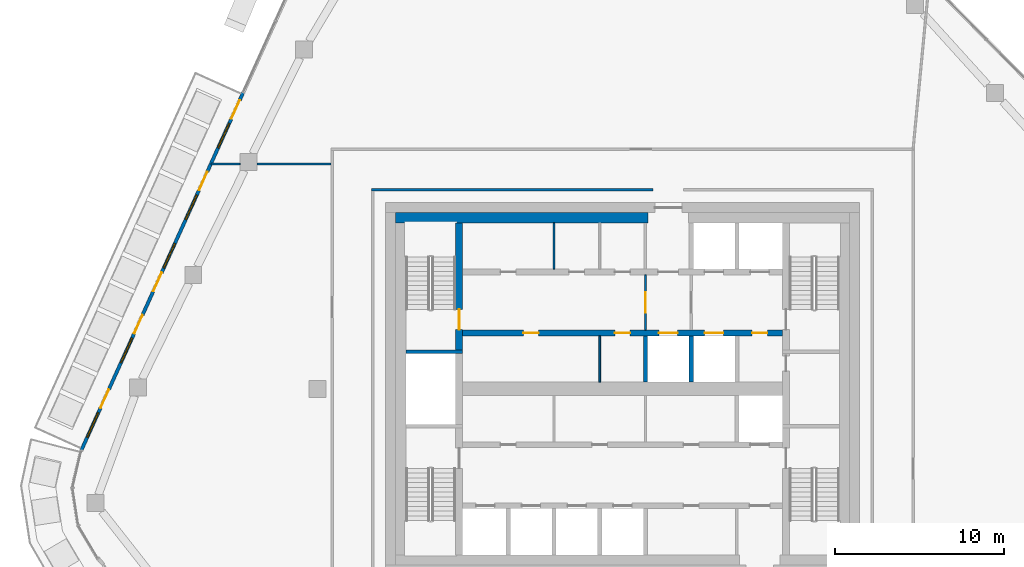
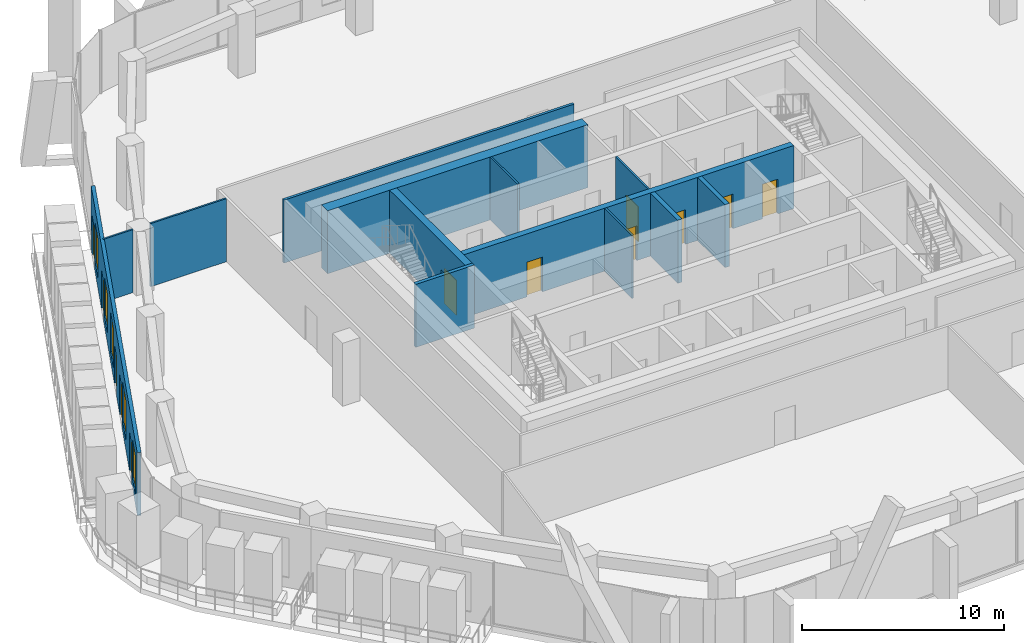
# One storey, part 14 of 23: 13 walls, 12 doors, 5 windows, 17 openings.
"""IFC4 building model written with IfcOpenShell, lengths in metres."""

from ifc_helpers import new_model, si_unit, direction, frame, frame_2d, origin, place, context, subcontext, project, spatial, rectangle, extrude, material, layer, layer_set, type_object, element, fill, save


model = new_model("IFC4")

# Units and contexts
model_context = context("Model", 3, precision=1e-05, world=origin(), true_north=direction((0.0, 1.0)))
body_context = subcontext(model_context, "Body", "Model", "MODEL_VIEW")
ifc_project = project(units=[si_unit("LENGTHUNIT", "METRE"), si_unit("AREAUNIT", "SQUARE_METRE"), si_unit("VOLUMEUNIT", "CUBIC_METRE"), si_unit("PLANEANGLEUNIT", "RADIAN"), si_unit("MASSUNIT", "GRAM", prefix="KILO")], contexts=[model_context])

# Site, building, storey
site_placement = place(None, origin())
site = spatial("IfcSite", under=ifc_project, at=site_placement, CompositionType="ELEMENT")
building_placement = place(site_placement, origin())
building = spatial("IfcBuilding", under=site, at=building_placement, Name="Dongbaek Canopy Tower", CompositionType="ELEMENT")
storey_placement = place(building_placement, frame((0.0, 0.0, 319.39990234375)))
storey = spatial("IfcBuildingStorey", under=building, at=storey_placement, Name="L68", CompositionType="ELEMENT", Elevation=319.39990234375)

# Wall, openings, doors
ifc_material_1 = material(Name="Concrete C60/75", Category="concrete")
ifc_layer_1 = layer(ifc_material_1, 0.35009765625)
ifc_layer_set_1 = layer_set([ifc_layer_1], Name="Core lobby wall 350 Concrete C60/75")
wall_type_1 = type_object("IfcWallType", Name="Core lobby wall 350 Concrete C60/75", PredefinedType="SHEAR", material=ifc_layer_set_1)
wall_1_placement = place(storey_placement, frame((9.449951171875, 3.300048828125, 0.0), z_axis=(0.0, 0.0, 1.0), x_axis=(-1.0, 0.0, 0.0)))
wall_1 = element("IfcWall", 1, at=wall_1_placement, inside=storey, type_object=wall_type_1, Name="Core wall", PredefinedType="SHEAR", context=body_context, shape_type="SweptSolid", body=[
    extrude(rectangle(XDim=18.89990234375, YDim=0.35009765625, at=frame_2d((9.449951171875, 0.0))), origin(), (0.0, 0.0, 1.0), 3.820068359375),
])
opening_1_placement = place(wall_1_placement, frame((6.199951171875, 0.0, 0.0)))
opening_1 = element("IfcOpeningElement", 2, at=opening_1_placement, cuts=wall_1, Name="Opening L68-D011", PredefinedType="OPENING", context=body_context, shape_type="SweptSolid", body=[
    extrude(rectangle(XDim=1.10009765625, YDim=2.10009765625, at=frame_2d((0.550048828125, 1.050048828125))), frame((0.0, 0.18505859375, 0.0), z_axis=(0.0, -1.0, 0.0), x_axis=(1.0, 0.0, 0.0)), (0.0, 0.0, 1.0), 0.3701171875),
])
opening_2_placement = place(wall_1_placement, frame((3.5, 0.0, 0.0)))
opening_2 = element("IfcOpeningElement", 3, at=opening_2_placement, cuts=wall_1, Name="Opening L68-D012", PredefinedType="OPENING", context=body_context, shape_type="SweptSolid", body=[
    extrude(rectangle(XDim=1.10009765625, YDim=2.10009765625, at=frame_2d((0.550048828125, 1.050048828125))), frame((0.0, 0.18505859375, 0.0), z_axis=(0.0, -1.0, 0.0), x_axis=(1.0, 0.0, 0.0)), (0.0, 0.0, 1.0), 0.3701171875),
])
opening_3_placement = place(wall_1_placement, frame((0.89990234375, 0.0, 0.0)))
opening_3 = element("IfcOpeningElement", 4, at=opening_3_placement, cuts=wall_1, Name="Opening L68-D013", PredefinedType="OPENING", context=body_context, shape_type="SweptSolid", body=[
    extrude(rectangle(XDim=0.89990234375, YDim=2.10009765625, at=frame_2d((0.449951171875, 1.050048828125))), frame((0.0, 0.18505859375, 0.0), z_axis=(0.0, -1.0, 0.0), x_axis=(1.0, 0.0, 0.0)), (0.0, 0.0, 1.0), 0.3701171875),
])
opening_4_placement = place(wall_1_placement, frame((14.39990234375, 0.0, 0.0)))
opening_4 = element("IfcOpeningElement", 5, at=opening_4_placement, cuts=wall_1, Name="Opening L68-D024", PredefinedType="OPENING", context=body_context, shape_type="SweptSolid", body=[
    extrude(rectangle(XDim=0.89990234375, YDim=2.10009765625, at=frame_2d((0.449951171875, 1.050048828125))), frame((0.0, 0.18505859375, 0.0), z_axis=(0.0, -1.0, 0.0), x_axis=(1.0, 0.0, 0.0)), (0.0, 0.0, 1.0), 0.3701171875),
])
opening_5_placement = place(wall_1_placement, frame((9.0, 0.0, 0.0)))
opening_5 = element("IfcOpeningElement", 6, at=opening_5_placement, cuts=wall_1, Name="Opening L68-D025", PredefinedType="OPENING", context=body_context, shape_type="SweptSolid", body=[
    extrude(rectangle(XDim=0.89990234375, YDim=2.10009765625, at=frame_2d((0.449951171875, 1.050048828125))), frame((0.0, 0.18505859375, 0.0), z_axis=(0.0, -1.0, 0.0), x_axis=(1.0, 0.0, 0.0)), (0.0, 0.0, 1.0), 0.3701171875),
])
ifc_material_2 = material(Name="Steel", Category="steel")
door_type_1 = type_object("IfcDoorType", Name="Core room door 900 x 2100", OperationType="SINGLE_SWING_LEFT", PredefinedType="DOOR", material=ifc_material_2)
door_1_placement = place(opening_3_placement, origin())
door_1 = element("IfcDoor", 7, at=door_1_placement, inside=storey, type_object=door_type_1, Name="Door L68-D013", OperationType="SINGLE_SWING_LEFT", OverallHeight=2.10009765625, OverallWidth=0.89990234375, PredefinedType="DOOR", context=body_context, shape_type="SweptSolid", body=[
    extrude(rectangle(XDim=0.89990234375, YDim=2.10009765625, at=frame_2d((0.449951171875, 1.050048828125))), frame((0.0, 0.02490234375, 0.0), z_axis=(0.0, -1.0, 0.0), x_axis=(1.0, 0.0, 0.0)), (0.0, 0.0, 1.0), 0.050048828125),
])
fill(opening_3, door_1)
door_2_placement = place(opening_4_placement, origin())
door_2 = element("IfcDoor", 8, at=door_2_placement, inside=storey, type_object=door_type_1, Name="Door L68-D024", OperationType="SINGLE_SWING_LEFT", OverallHeight=2.10009765625, OverallWidth=0.89990234375, PredefinedType="DOOR", context=body_context, shape_type="SweptSolid", body=[
    extrude(rectangle(XDim=0.89990234375, YDim=2.10009765625, at=frame_2d((0.449951171875, 1.050048828125))), frame((0.0, 0.02490234375, 0.0), z_axis=(0.0, -1.0, 0.0), x_axis=(1.0, 0.0, 0.0)), (0.0, 0.0, 1.0), 0.050048828125),
])
fill(opening_4, door_2)
door_3_placement = place(opening_5_placement, origin())
door_3 = element("IfcDoor", 9, at=door_3_placement, inside=storey, type_object=door_type_1, Name="Door L68-D025", OperationType="SINGLE_SWING_RIGHT", OverallHeight=2.10009765625, OverallWidth=0.89990234375, PredefinedType="DOOR", context=body_context, shape_type="SweptSolid", body=[
    extrude(rectangle(XDim=0.89990234375, YDim=2.10009765625, at=frame_2d((0.449951171875, 1.050048828125))), frame((0.0, 0.02490234375, 0.0), z_axis=(0.0, -1.0, 0.0), x_axis=(1.0, 0.0, 0.0)), (0.0, 0.0, 1.0), 0.050048828125),
])
fill(opening_5, door_3)
ifc_material_3 = material(Name="Stainless steel", Category="steel")
door_type_2 = type_object("IfcDoorType", Name="Lift landing door 1100 x 2100", OperationType="DOUBLE_DOOR_SLIDING", PredefinedType="DOOR", material=ifc_material_3)
door_4_placement = place(opening_1_placement, origin())
door_4 = element("IfcDoor", 10, at=door_4_placement, inside=storey, type_object=door_type_2, Name="Landing door SV1", OperationType="DOUBLE_DOOR_SLIDING", OverallHeight=2.10009765625, OverallWidth=1.10009765625, PredefinedType="DOOR", context=body_context, shape_type="SweptSolid", body=[
    extrude(rectangle(XDim=1.10009765625, YDim=2.10009765625, at=frame_2d((0.550048828125, 1.050048828125))), frame((0.0, 0.02490234375, 0.0), z_axis=(0.0, -1.0, 0.0), x_axis=(1.0, 0.0, 0.0)), (0.0, 0.0, 1.0), 0.050048828125),
])
fill(opening_1, door_4)
door_5_placement = place(opening_2_placement, origin())
door_5 = element("IfcDoor", 11, at=door_5_placement, inside=storey, type_object=door_type_2, Name="Landing door FF3", OperationType="DOUBLE_DOOR_SLIDING", OverallHeight=2.10009765625, OverallWidth=1.10009765625, PredefinedType="DOOR", context=body_context, shape_type="SweptSolid", body=[
    extrude(rectangle(XDim=1.10009765625, YDim=2.10009765625, at=frame_2d((0.550048828125, 1.050048828125))), frame((0.0, 0.02490234375, 0.0), z_axis=(0.0, -1.0, 0.0), x_axis=(1.0, 0.0, 0.0)), (0.0, 0.0, 1.0), 0.050048828125),
])
fill(opening_2, door_5)

# Walls
ifc_material_4 = material(Name="Concrete C60/75", Category="concrete")
ifc_layer_2 = layer(ifc_material_4, 0.60009765625)
ifc_layer_set_2 = layer_set([ifc_layer_2], Name="Core wall lining 600 Concrete C60/75")
wall_type_2 = type_object("IfcWallType", Name="Core wall lining 600 Concrete C60/75", PredefinedType="SHEAR", material=ifc_layer_set_2)
wall_2_placement = place(storey_placement, frame((-13.39990234375, 10.10009765625, 0.0), z_axis=(0.0, 0.0, 1.0), x_axis=(1.0, 0.0, 0.0)))
element("IfcWall", 12, at=wall_2_placement, inside=storey, type_object=wall_type_2, Name="Core wall lining", PredefinedType="SHEAR", context=body_context, shape_type="SweptSolid", body=[
    extrude(rectangle(XDim=14.89990234375, YDim=0.60009765625, at=frame_2d((7.449951171875, 0.0))), origin(), (0.0, 0.0, 1.0), 3.820068359375),
])
ifc_material_5 = material(Name="Gypsum board partition, steel stud, 2 x 15 mm fire board", Category="steel")
ifc_layer_3 = layer(ifc_material_5, 0.14990234375)
ifc_layer_set_3 = layer_set([ifc_layer_3], Name="Fire-rated partition 150 gypsum board")
wall_type_3 = type_object("IfcWallType", Name="Fire-rated partition 150 gypsum board", PredefinedType="PARTITIONING", material=ifc_layer_set_3)
wall_3_placement = place(storey_placement, frame((-14.824951171875, 11.75, 0.0), z_axis=(0.0, 0.0, 1.0), x_axis=(1.0, 0.0, 0.0)))
element("IfcWall", 13, at=wall_3_placement, inside=storey, type_object=wall_type_3, Name="Corridor partition", PredefinedType="PARTITIONING", context=body_context, shape_type="SweptSolid", body=[
    extrude(rectangle(XDim=16.625, YDim=0.14990234375, at=frame_2d((8.3125, 0.0))), origin(), (0.0, 0.0, 1.0), 3.820068359375),
])
ifc_material_6 = material(Name="Concrete C40/50", Category="concrete")
ifc_layer_4 = layer(ifc_material_6, 0.25)
ifc_layer_set_4 = layer_set([ifc_layer_4], Name="Lift shaft wall 250 Concrete C40/50")
wall_type_4 = type_object("IfcWallType", Name="Lift shaft wall 250 Concrete C40/50", PredefinedType="SOLIDWALL", material=ifc_layer_set_4)
for number, where, z_axis, x_axis, name in (
    (14, (4.050048828125, 0.39990234375, 0.0), (0.0, 0.0, 1.0), (0.0, 1.0, 0.0), "Lift shaft wall"),
    (15, (1.35009765625, 0.39990234375, 0.0), (0.0, 0.0, 1.0), (0.0, 1.0, 0.0), "Lift shaft wall"),
):
    element("IfcWall", number, at=place(storey_placement, frame(where, z_axis=z_axis, x_axis=x_axis)), inside=storey, type_object=wall_type_4, Name=name, PredefinedType="SOLIDWALL", context=body_context, shape_type="SweptSolid", body=[
        extrude(rectangle(XDim=2.72509765625, YDim=0.25, at=frame_2d((1.362548828125, 0.0))), origin(), (0.0, 0.0, 1.0), 3.820068359375),
    ])
ifc_material_7 = material(Name="Gypsum board partition, steel stud, 2 x 12.5 mm board", Category="steel")
ifc_layer_5 = layer(ifc_material_7, 0.10009765625)
ifc_layer_set_5 = layer_set([ifc_layer_5], Name="Partition 100 gypsum board")
wall_type_5 = type_object("IfcWallType", Name="Partition 100 gypsum board", PredefinedType="PARTITIONING", material=ifc_layer_set_5)
wall_4_placement = place(storey_placement, frame((-24.28759765625, 13.27099609375, 0.0), z_axis=(0.0, 0.0, 1.0), x_axis=(1.0, 0.0, 0.0)))
element("IfcWall", 16, at=wall_4_placement, inside=storey, type_object=wall_type_5, Name="Partition", PredefinedType="PARTITIONING", context=body_context, shape_type="SweptSolid", body=[
    extrude(rectangle(XDim=1.711669921875, YDim=0.10009765625, at=frame_2d((0.85595703125, 0.0))), origin(), (0.0, 0.0, 1.0), 3.820068359375),
])
wall_5_placement = place(storey_placement, frame((-21.575927734375, 13.27099609375, 0.0), z_axis=(0.0, 0.0, 1.0), x_axis=(1.0, 0.0, 0.0)))
element("IfcWall", 17, at=wall_5_placement, inside=storey, type_object=wall_type_5, Name="Partition", PredefinedType="PARTITIONING", context=body_context, shape_type="SweptSolid", body=[
    extrude(rectangle(XDim=4.350830078125, YDim=0.10009765625, at=frame_2d((2.17529296875, 0.0))), origin(), (0.0, 0.0, 1.0), 3.820068359375),
])

# Wall, opening, door
wall_6_placement = place(storey_placement, frame((1.35009765625, 6.72509765625, 0.0), z_axis=(0.0, 0.0, 1.0), x_axis=(0.0, -1.0, 0.0)))
wall_6 = element("IfcWall", 18, at=wall_6_placement, inside=storey, type_object=wall_type_5, Name="Core partition", PredefinedType="PARTITIONING", context=body_context, shape_type="SweptSolid", body=[
    extrude(rectangle(XDim=3.25, YDim=0.10009765625, at=frame_2d((1.625, 0.0))), origin(), (0.0, 0.0, 1.0), 3.820068359375),
])
opening_6_placement = place(wall_6_placement, frame((1.02490234375, 0.0, 0.0)))
opening_6 = element("IfcOpeningElement", 19, at=opening_6_placement, cuts=wall_6, Name="Opening L68-D034", PredefinedType="OPENING", context=body_context, shape_type="SweptSolid", body=[
    extrude(rectangle(XDim=1.199951171875, YDim=2.10009765625, at=frame_2d((0.60009765625, 1.050048828125))), frame((0.0, 0.06005859375, 0.0), z_axis=(0.0, -1.0, 0.0), x_axis=(1.0, 0.0, 0.0)), (0.0, 0.0, 1.0), 0.1201171875),
])
ifc_material_8 = material(Name="Steel", Category="steel")
door_type_3 = type_object("IfcDoorType", Name="Fire lobby door 1200 x 2100", OperationType="SINGLE_SWING_LEFT", PredefinedType="DOOR", material=ifc_material_8)
door_6_placement = place(opening_6_placement, origin())
door_6 = element("IfcDoor", 20, at=door_6_placement, inside=storey, type_object=door_type_3, Name="Door L68-D034", OperationType="SINGLE_SWING_LEFT", OverallHeight=2.10009765625, OverallWidth=1.199951171875, PredefinedType="DOOR", context=body_context, shape_type="SweptSolid", body=[
    extrude(rectangle(XDim=1.199951171875, YDim=2.10009765625, at=frame_2d((0.60009765625, 1.050048828125))), frame((0.0, 0.02490234375, 0.0), z_axis=(0.0, -1.0, 0.0), x_axis=(1.0, 0.0, 0.0)), (0.0, 0.0, 1.0), 0.050048828125),
])
fill(opening_6, door_6)

# Walls
for number, where, z_axis, x_axis, name in (
    (21, (-1.35009765625, 0.39990234375, 0.0), (0.0, 0.0, 1.0), (0.0, 1.0, 0.0), "Core partition"),
    (22, (-4.050048828125, 7.074951171875, 0.0), (0.0, 0.0, 1.0), (0.0, 1.0, 0.0), "Core partition"),
):
    element("IfcWall", number, at=place(storey_placement, frame(where, z_axis=z_axis, x_axis=x_axis)), inside=storey, type_object=wall_type_5, Name=name, PredefinedType="PARTITIONING", context=body_context, shape_type="SweptSolid", body=[
        extrude(rectangle(XDim=2.72509765625, YDim=0.10009765625, at=frame_2d((1.362548828125, 0.0))), origin(), (0.0, 0.0, 1.0), 3.820068359375),
    ])
ifc_material_9 = material(Name="Concrete C60/75", Category="concrete")
ifc_layer_6 = layer(ifc_material_9, 0.199951171875)
ifc_layer_set_6 = layer_set([ifc_layer_6], Name="Riser wall 200 Concrete C60/75")
wall_type_6 = type_object("IfcWallType", Name="Riser wall 200 Concrete C60/75", PredefinedType="SHEAR", material=ifc_layer_set_6)
wall_7_placement = place(storey_placement, frame((-9.449951171875, 2.199951171875, 0.0), z_axis=(0.0, 0.0, 1.0), x_axis=(-1.0, 0.0, 0.0)))
element("IfcWall", 23, at=wall_7_placement, inside=storey, type_object=wall_type_6, Name="Riser wall", PredefinedType="SHEAR", context=body_context, shape_type="SweptSolid", body=[
    extrude(rectangle(XDim=3.35009765625, YDim=0.199951171875, at=frame_2d((1.675048828125, 0.0))), origin(), (0.0, 0.0, 1.0), 3.820068359375),
])

# Wall, opening, door
ifc_material_10 = material(Name="Concrete C60/75", Category="concrete")
ifc_layer_7 = layer(ifc_material_10, 0.39990234375)
ifc_layer_set_7 = layer_set([ifc_layer_7], Name="Stair wall 400 Concrete C60/75")
wall_type_7 = type_object("IfcWallType", Name="Stair wall 400 Concrete C60/75", PredefinedType="SHEAR", material=ifc_layer_set_7)
wall_8_placement = place(storey_placement, frame((-9.64990234375, 2.300048828125, 0.0), z_axis=(0.0, 0.0, 1.0), x_axis=(0.0, 1.0, 0.0)))
wall_8 = element("IfcWall", 24, at=wall_8_placement, inside=storey, type_object=wall_type_7, Name="Stair wall", PredefinedType="SHEAR", context=body_context, shape_type="SweptSolid", body=[
    extrude(rectangle(XDim=7.5, YDim=0.39990234375, at=frame_2d((3.75, 0.0))), origin(), (0.0, 0.0, 1.0), 3.820068359375),
])
opening_7_placement = place(wall_8_placement, frame((1.199951171875, 0.0, 0.0)))
opening_7 = element("IfcOpeningElement", 25, at=opening_7_placement, cuts=wall_8, Name="Opening L68-D031", PredefinedType="OPENING", context=body_context, shape_type="SweptSolid", body=[
    extrude(rectangle(XDim=1.199951171875, YDim=2.10009765625, at=frame_2d((0.60009765625, 1.050048828125))), frame((0.0, 0.2099609375, 0.0), z_axis=(0.0, -1.0, 0.0), x_axis=(1.0, 0.0, 0.0)), (0.0, 0.0, 1.0), 0.419921875),
])
ifc_material_11 = material(Name="Steel", Category="steel")
door_type_4 = type_object("IfcDoorType", Name="Stair door 1200 x 2100", OperationType="SINGLE_SWING_LEFT", PredefinedType="DOOR", material=ifc_material_11)
door_7_placement = place(opening_7_placement, origin())
door_7 = element("IfcDoor", 26, at=door_7_placement, inside=storey, type_object=door_type_4, Name="Stair C door", OperationType="SINGLE_SWING_RIGHT", OverallHeight=2.10009765625, OverallWidth=1.199951171875, PredefinedType="DOOR", context=body_context, shape_type="SweptSolid", body=[
    extrude(rectangle(XDim=1.199951171875, YDim=2.10009765625, at=frame_2d((0.60009765625, 1.050048828125))), frame((0.0, 0.02490234375, 0.0), z_axis=(0.0, -1.0, 0.0), x_axis=(1.0, 0.0, 0.0)), (0.0, 0.0, 1.0), 0.050048828125),
])
fill(opening_7, door_7)

# Wall, openings, doors, windows
ifc_material_12 = material(Name="Aluminium window wall", Category="aluminium")
ifc_layer_8 = layer(ifc_material_12, 0.199951171875)
ifc_layer_set_8 = layer_set([ifc_layer_8], Name="Window wall 200")
wall_type_8 = type_object("IfcWallType", Name="Window wall 200", PredefinedType="SOLIDWALL", material=ifc_layer_set_8)
wall_9_placement = place(storey_placement, frame((-22.39892578125, 17.4951171875, 0.0), z_axis=(0.0, 0.0, 1.0), x_axis=(-0.412123946496, -0.911127791654, 0.0)))
wall_9 = element("IfcWall", 27, at=wall_9_placement, inside=storey, type_object=wall_type_8, Name="Window wall L68 2", PredefinedType="SOLIDWALL", context=body_context, shape_type="SweptSolid", body=[
    extrude(rectangle(XDim=23.180419921875, YDim=0.199951171875, at=frame_2d((11.59033203125, 0.0))), origin(), (0.0, 0.0, 1.0), 3.820068359375),
])
opening_8_placement = place(wall_9_placement, frame((2.0, 0.0, 0.60009765625)))
opening_8 = element("IfcOpeningElement", 28, at=opening_8_placement, cuts=wall_9, Name="Opening W1", PredefinedType="OPENING", context=body_context, shape_type="SweptSolid", body=[
    extrude(rectangle(XDim=1.60009765625, YDim=2.39990234375, at=frame_2d((0.800048828125, 1.199951171875))), frame((0.0, 0.10986328125, 0.0), z_axis=(0.0, -1.0, 0.0), x_axis=(1.0, 0.0, 0.0)), (0.0, 0.0, 1.0), 0.219970703125),
])
opening_9_placement = place(wall_9_placement, frame((0.5, 0.0, 0.0)))
opening_9 = element("IfcOpeningElement", 29, at=opening_9_placement, cuts=wall_9, Name="Opening L68-B04", PredefinedType="OPENING", context=body_context, shape_type="SweptSolid", body=[
    extrude(rectangle(XDim=1.199951171875, YDim=2.39990234375, at=frame_2d((0.60009765625, 1.199951171875))), frame((0.0, 0.10986328125, 0.0), z_axis=(0.0, -1.0, 0.0), x_axis=(1.0, 0.0, 0.0)), (0.0, 0.0, 1.0), 0.219970703125),
])
opening_10_placement = place(wall_9_placement, frame((6.635986328125, 0.0, 0.60009765625)))
opening_10 = element("IfcOpeningElement", 30, at=opening_10_placement, cuts=wall_9, Name="Opening W1", PredefinedType="OPENING", context=body_context, shape_type="SweptSolid", body=[
    extrude(rectangle(XDim=1.60009765625, YDim=2.39990234375, at=frame_2d((0.800048828125, 1.199951171875))), frame((0.0, 0.10986328125, 0.0), z_axis=(0.0, -1.0, 0.0), x_axis=(1.0, 0.0, 0.0)), (0.0, 0.0, 1.0), 0.219970703125),
])
opening_11_placement = place(wall_9_placement, frame((5.135986328125, 0.0, 0.0)))
opening_11 = element("IfcOpeningElement", 31, at=opening_11_placement, cuts=wall_9, Name="Opening L68-B05", PredefinedType="OPENING", context=body_context, shape_type="SweptSolid", body=[
    extrude(rectangle(XDim=1.199951171875, YDim=2.39990234375, at=frame_2d((0.60009765625, 1.199951171875))), frame((0.0, 0.10986328125, 0.0), z_axis=(0.0, -1.0, 0.0), x_axis=(1.0, 0.0, 0.0)), (0.0, 0.0, 1.0), 0.219970703125),
])
opening_12_placement = place(wall_9_placement, frame((9.772216796875, 0.0, 0.60009765625)))
opening_12 = element("IfcOpeningElement", 32, at=opening_12_placement, cuts=wall_9, Name="Opening W1", PredefinedType="OPENING", context=body_context, shape_type="SweptSolid", body=[
    extrude(rectangle(XDim=1.60009765625, YDim=2.39990234375, at=frame_2d((0.800048828125, 1.199951171875))), frame((0.0, 0.10986328125, 0.0), z_axis=(0.0, -1.0, 0.0), x_axis=(1.0, 0.0, 0.0)), (0.0, 0.0, 1.0), 0.219970703125),
])
opening_13_placement = place(wall_9_placement, frame((11.672119140625, 0.0, 0.0)))
opening_13 = element("IfcOpeningElement", 33, at=opening_13_placement, cuts=wall_9, Name="Opening L68-B06", PredefinedType="OPENING", context=body_context, shape_type="SweptSolid", body=[
    extrude(rectangle(XDim=1.199951171875, YDim=2.39990234375, at=frame_2d((0.60009765625, 1.199951171875))), frame((0.0, 0.10986328125, 0.0), z_axis=(0.0, -1.0, 0.0), x_axis=(1.0, 0.0, 0.0)), (0.0, 0.0, 1.0), 0.219970703125),
])
opening_14_placement = place(wall_9_placement, frame((15.908203125, 0.0, 0.60009765625)))
opening_14 = element("IfcOpeningElement", 34, at=opening_14_placement, cuts=wall_9, Name="Opening W1", PredefinedType="OPENING", context=body_context, shape_type="SweptSolid", body=[
    extrude(rectangle(XDim=1.60009765625, YDim=2.39990234375, at=frame_2d((0.800048828125, 1.199951171875))), frame((0.0, 0.10986328125, 0.0), z_axis=(0.0, -1.0, 0.0), x_axis=(1.0, 0.0, 0.0)), (0.0, 0.0, 1.0), 0.219970703125),
])
opening_15_placement = place(wall_9_placement, frame((14.408203125, 0.0, 0.0)))
opening_15 = element("IfcOpeningElement", 35, at=opening_15_placement, cuts=wall_9, Name="Opening L68-B07", PredefinedType="OPENING", context=body_context, shape_type="SweptSolid", body=[
    extrude(rectangle(XDim=1.199951171875, YDim=2.39990234375, at=frame_2d((0.60009765625, 1.199951171875))), frame((0.0, 0.10986328125, 0.0), z_axis=(0.0, -1.0, 0.0), x_axis=(1.0, 0.0, 0.0)), (0.0, 0.0, 1.0), 0.219970703125),
])
opening_16_placement = place(wall_9_placement, frame((20.744384765625, 0.0, 0.60009765625)))
opening_16 = element("IfcOpeningElement", 36, at=opening_16_placement, cuts=wall_9, Name="Opening W1", PredefinedType="OPENING", context=body_context, shape_type="SweptSolid", body=[
    extrude(rectangle(XDim=1.60009765625, YDim=2.39990234375, at=frame_2d((0.800048828125, 1.199951171875))), frame((0.0, 0.10986328125, 0.0), z_axis=(0.0, -1.0, 0.0), x_axis=(1.0, 0.0, 0.0)), (0.0, 0.0, 1.0), 0.219970703125),
])
opening_17_placement = place(wall_9_placement, frame((19.244384765625, 0.0, 0.0)))
opening_17 = element("IfcOpeningElement", 37, at=opening_17_placement, cuts=wall_9, Name="Opening L68-B08", PredefinedType="OPENING", context=body_context, shape_type="SweptSolid", body=[
    extrude(rectangle(XDim=1.199951171875, YDim=2.39990234375, at=frame_2d((0.60009765625, 1.199951171875))), frame((0.0, 0.10986328125, 0.0), z_axis=(0.0, -1.0, 0.0), x_axis=(1.0, 0.0, 0.0)), (0.0, 0.0, 1.0), 0.219970703125),
])
ifc_material_13 = material(Name="Clear glazing in aluminium frame", Category="aluminium")
door_type_5 = type_object("IfcDoorType", Name="Balcony door BD1 1200 x 2400", OperationType="SLIDING_TO_LEFT", PredefinedType="DOOR", material=ifc_material_13)
door_8_placement = place(opening_9_placement, origin())
door_8 = element("IfcDoor", 38, at=door_8_placement, inside=storey, type_object=door_type_5, Name="Balcony door L68-B04", OperationType="SLIDING_TO_LEFT", OverallHeight=2.39990234375, OverallWidth=1.199951171875, PredefinedType="DOOR", context=body_context, shape_type="SweptSolid", body=[
    extrude(rectangle(XDim=1.199951171875, YDim=2.39990234375, at=frame_2d((0.60009765625, 1.199951171875))), frame((0.0, 0.02490234375, 0.0), z_axis=(0.0, -1.0, 0.0), x_axis=(1.0, 0.0, 0.0)), (0.0, 0.0, 1.0), 0.050048828125),
])
fill(opening_9, door_8)
door_9_placement = place(opening_11_placement, origin())
door_9 = element("IfcDoor", 39, at=door_9_placement, inside=storey, type_object=door_type_5, Name="Balcony door L68-B05", OperationType="SLIDING_TO_LEFT", OverallHeight=2.39990234375, OverallWidth=1.199951171875, PredefinedType="DOOR", context=body_context, shape_type="SweptSolid", body=[
    extrude(rectangle(XDim=1.199951171875, YDim=2.39990234375, at=frame_2d((0.60009765625, 1.199951171875))), frame((0.0, 0.02490234375, 0.0), z_axis=(0.0, -1.0, 0.0), x_axis=(1.0, 0.0, 0.0)), (0.0, 0.0, 1.0), 0.050048828125),
])
fill(opening_11, door_9)
door_10_placement = place(opening_13_placement, origin())
door_10 = element("IfcDoor", 40, at=door_10_placement, inside=storey, type_object=door_type_5, Name="Balcony door L68-B06", OperationType="SLIDING_TO_LEFT", OverallHeight=2.39990234375, OverallWidth=1.199951171875, PredefinedType="DOOR", context=body_context, shape_type="SweptSolid", body=[
    extrude(rectangle(XDim=1.199951171875, YDim=2.39990234375, at=frame_2d((0.60009765625, 1.199951171875))), frame((0.0, 0.02490234375, 0.0), z_axis=(0.0, -1.0, 0.0), x_axis=(1.0, 0.0, 0.0)), (0.0, 0.0, 1.0), 0.050048828125),
])
fill(opening_13, door_10)
door_11_placement = place(opening_15_placement, origin())
door_11 = element("IfcDoor", 41, at=door_11_placement, inside=storey, type_object=door_type_5, Name="Balcony door L68-B07", OperationType="SLIDING_TO_LEFT", OverallHeight=2.39990234375, OverallWidth=1.199951171875, PredefinedType="DOOR", context=body_context, shape_type="SweptSolid", body=[
    extrude(rectangle(XDim=1.199951171875, YDim=2.39990234375, at=frame_2d((0.60009765625, 1.199951171875))), frame((0.0, 0.02490234375, 0.0), z_axis=(0.0, -1.0, 0.0), x_axis=(1.0, 0.0, 0.0)), (0.0, 0.0, 1.0), 0.050048828125),
])
fill(opening_15, door_11)
door_12_placement = place(opening_17_placement, origin())
door_12 = element("IfcDoor", 42, at=door_12_placement, inside=storey, type_object=door_type_5, Name="Balcony door L68-B08", OperationType="SLIDING_TO_LEFT", OverallHeight=2.39990234375, OverallWidth=1.199951171875, PredefinedType="DOOR", context=body_context, shape_type="SweptSolid", body=[
    extrude(rectangle(XDim=1.199951171875, YDim=2.39990234375, at=frame_2d((0.60009765625, 1.199951171875))), frame((0.0, 0.02490234375, 0.0), z_axis=(0.0, -1.0, 0.0), x_axis=(1.0, 0.0, 0.0)), (0.0, 0.0, 1.0), 0.050048828125),
])
fill(opening_17, door_12)
ifc_material_14 = material(Name="Clear glazing in aluminium frame", Category="aluminium")
window_type = type_object("IfcWindowType", Name="Window W1 1600 x 2400", PartitioningType="SINGLE_PANEL", PredefinedType="WINDOW", material=ifc_material_14)
window_1_placement = place(opening_8_placement, origin())
window_1 = element("IfcWindow", 43, at=window_1_placement, inside=storey, type_object=window_type, Name="Window L68 2.1", OverallHeight=2.39990234375, OverallWidth=1.60009765625, PartitioningType="SINGLE_PANEL", PredefinedType="WINDOW", context=body_context, shape_type="SweptSolid", body=[
    extrude(rectangle(XDim=1.60009765625, YDim=2.39990234375, at=frame_2d((0.800048828125, 1.199951171875))), frame((0.0, 0.030029296875, 0.0), z_axis=(0.0, -1.0, 0.0), x_axis=(1.0, 0.0, 0.0)), (0.0, 0.0, 1.0), 0.06005859375),
])
fill(opening_8, window_1)
window_2_placement = place(opening_10_placement, origin())
window_2 = element("IfcWindow", 44, at=window_2_placement, inside=storey, type_object=window_type, Name="Window L68 2.2", OverallHeight=2.39990234375, OverallWidth=1.60009765625, PartitioningType="SINGLE_PANEL", PredefinedType="WINDOW", context=body_context, shape_type="SweptSolid", body=[
    extrude(rectangle(XDim=1.60009765625, YDim=2.39990234375, at=frame_2d((0.800048828125, 1.199951171875))), frame((0.0, 0.030029296875, 0.0), z_axis=(0.0, -1.0, 0.0), x_axis=(1.0, 0.0, 0.0)), (0.0, 0.0, 1.0), 0.06005859375),
])
fill(opening_10, window_2)
window_3_placement = place(opening_12_placement, origin())
window_3 = element("IfcWindow", 45, at=window_3_placement, inside=storey, type_object=window_type, Name="Window L68 2.3", OverallHeight=2.39990234375, OverallWidth=1.60009765625, PartitioningType="SINGLE_PANEL", PredefinedType="WINDOW", context=body_context, shape_type="SweptSolid", body=[
    extrude(rectangle(XDim=1.60009765625, YDim=2.39990234375, at=frame_2d((0.800048828125, 1.199951171875))), frame((0.0, 0.030029296875, 0.0), z_axis=(0.0, -1.0, 0.0), x_axis=(1.0, 0.0, 0.0)), (0.0, 0.0, 1.0), 0.06005859375),
])
fill(opening_12, window_3)
window_4_placement = place(opening_14_placement, origin())
window_4 = element("IfcWindow", 46, at=window_4_placement, inside=storey, type_object=window_type, Name="Window L68 2.4", OverallHeight=2.39990234375, OverallWidth=1.60009765625, PartitioningType="SINGLE_PANEL", PredefinedType="WINDOW", context=body_context, shape_type="SweptSolid", body=[
    extrude(rectangle(XDim=1.60009765625, YDim=2.39990234375, at=frame_2d((0.800048828125, 1.199951171875))), frame((0.0, 0.030029296875, 0.0), z_axis=(0.0, -1.0, 0.0), x_axis=(1.0, 0.0, 0.0)), (0.0, 0.0, 1.0), 0.06005859375),
])
fill(opening_14, window_4)
window_5_placement = place(opening_16_placement, origin())
window_5 = element("IfcWindow", 47, at=window_5_placement, inside=storey, type_object=window_type, Name="Window L68 2.5", OverallHeight=2.39990234375, OverallWidth=1.60009765625, PartitioningType="SINGLE_PANEL", PredefinedType="WINDOW", context=body_context, shape_type="SweptSolid", body=[
    extrude(rectangle(XDim=1.60009765625, YDim=2.39990234375, at=frame_2d((0.800048828125, 1.199951171875))), frame((0.0, 0.030029296875, 0.0), z_axis=(0.0, -1.0, 0.0), x_axis=(1.0, 0.0, 0.0)), (0.0, 0.0, 1.0), 0.06005859375),
])
fill(opening_16, window_5)

save(model, "model.ifc")
